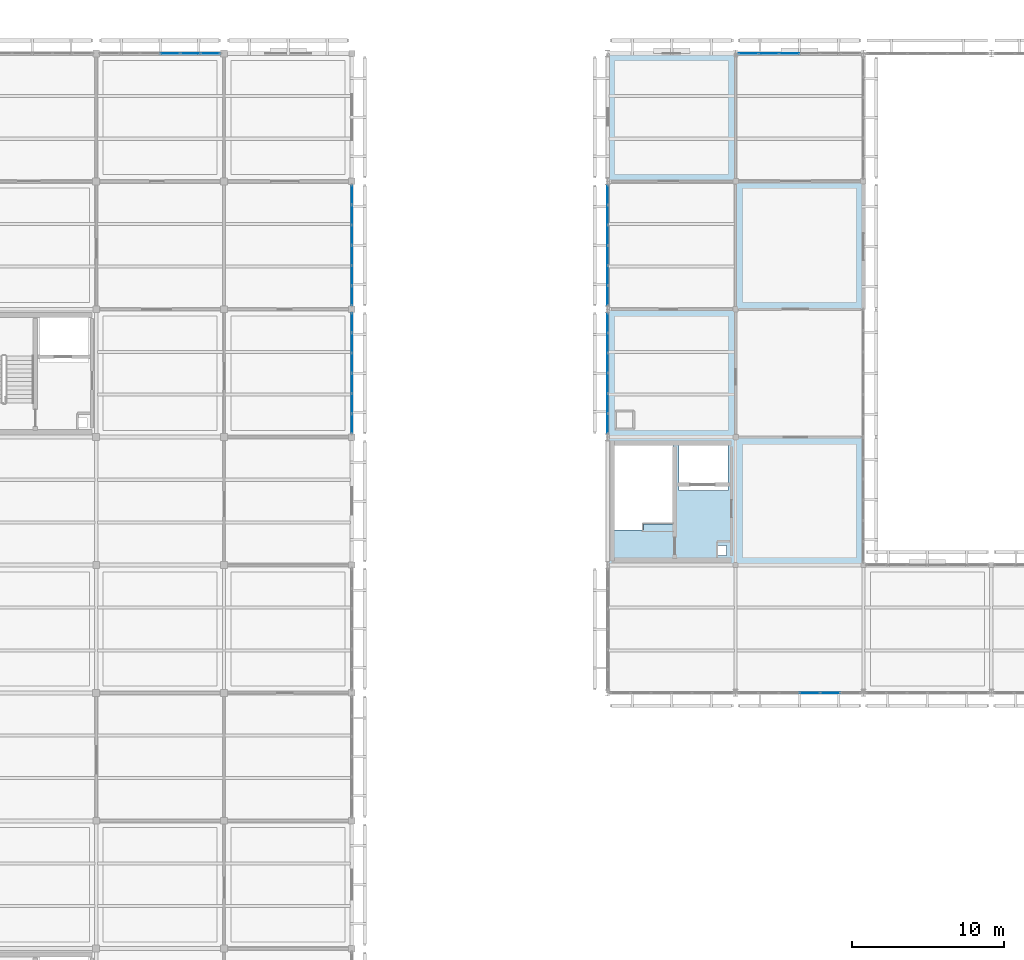
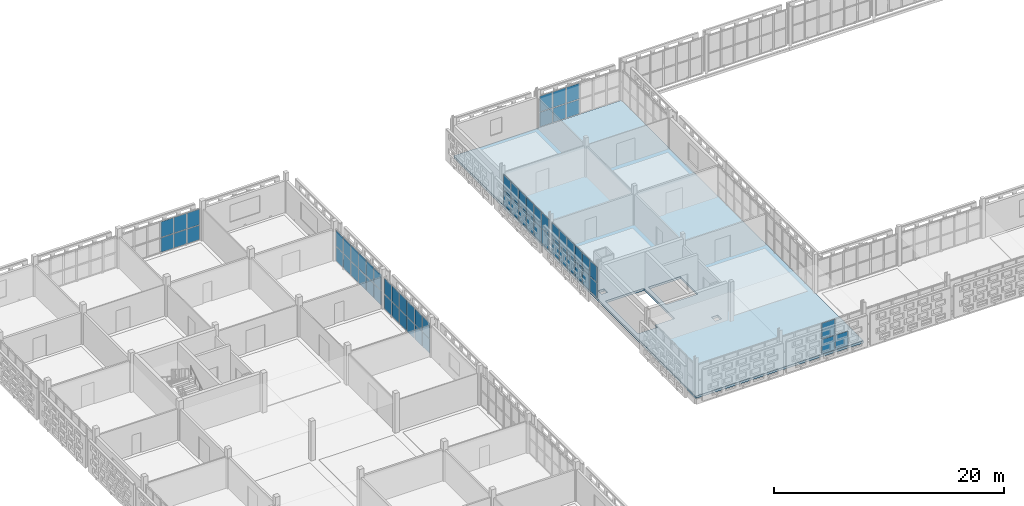
# One storey, part 75 of 140: 63 plates, 1 slab, 7 elements without a shape of their own.
"""IFC4 building model written with IfcOpenShell, lengths in metres."""

from ifc_helpers import new_model, si_unit, direction, frame, origin, origin_2d, place, context, subcontext, project, spatial, polyline, rectangle, outline, extrude, material, layer, layer_set, type_object, element, aggregate, save


model = new_model("IFC4")

# Units and contexts
model_context = context("Model", 3, precision=1e-05, world=origin(), true_north=direction((0.0, 1.0)))
body_context = subcontext(model_context, "Body", "Model", "MODEL_VIEW")
ifc_project = project(units=[si_unit("LENGTHUNIT", "METRE"), si_unit("AREAUNIT", "SQUARE_METRE"), si_unit("VOLUMEUNIT", "CUBIC_METRE"), si_unit("PLANEANGLEUNIT", "RADIAN"), si_unit("MASSUNIT", "GRAM", prefix="KILO")], contexts=[model_context])

# Site, building, storey
site_placement = place(None, origin())
site = spatial("IfcSite", under=ifc_project, at=site_placement, CompositionType="ELEMENT")
building_placement = place(site_placement, origin())
building = spatial("IfcBuilding", under=site, at=building_placement, Name="Varnapada Polytechnic", CompositionType="ELEMENT")
storey_placement = place(building_placement, frame((0.0, 0.0, 13.800048828125)))
storey = spatial("IfcBuildingStorey", under=building, at=storey_placement, Name="L03", CompositionType="ELEMENT", Elevation=13.800048828125)

# Curtain wall, plates
ifc_material_1 = material(Name="Double low-E laminated glass", Category="glass")
ifc_layer_1 = layer(ifc_material_1, 0.159912109375)
ifc_layer_set_1 = layer_set([ifc_layer_1], Name="Double low-E laminated glass")
curtain_wall_type_1 = type_object("IfcCurtainWallType", Name="Curtain Wall CW-02", PredefinedType="NOTDEFINED", material=ifc_layer_set_1)
curtain_wall_1_placement = place(storey_placement, origin())
curtain_wall_1 = element("IfcCurtainWall", 1, at=curtain_wall_1_placement, inside=storey, type_object=curtain_wall_type_1, Name="L03 unitised curtain wall CW-02 (227)", PredefinedType="NOTDEFINED")
ifc_layer_2 = layer(ifc_material_1, 0.028076171875)
ifc_layer_set_2 = layer_set([ifc_layer_2], Name="Double low-E laminated glass")
plate_type_1 = type_object("IfcPlateType", Name="Curtain Panel PNL-01", PredefinedType="CURTAIN_PANEL", material=ifc_layer_set_2)
plate_1_placement = place(storey_placement, frame((50.39990234375, 101.702392578125, 0.06005859375), z_axis=(0.0, 0.0, 1.0), x_axis=(0.0, 1.0, 0.0)))
plate_1 = element("IfcPlate", 2, at=plate_1_placement, type_object=plate_type_1, Name="CW-02 panel 1.1", PredefinedType="CURTAIN_PANEL", context=body_context, shape_type="SweptSolid", body=[
    extrude(rectangle(XDim=1.235107421875, YDim=0.028076171875, at=origin_2d()), origin(), (0.0, 0.0, 1.0), 1.522705078125),
])
plate_2_placement = place(storey_placement, frame((50.39990234375, 101.702392578125, 1.642822265625), z_axis=(0.0, 0.0, 1.0), x_axis=(0.0, 1.0, 0.0)))
plate_2 = element("IfcPlate", 3, at=plate_2_placement, type_object=plate_type_1, Name="CW-02 panel 1.2", PredefinedType="CURTAIN_PANEL", context=body_context, shape_type="SweptSolid", body=[
    extrude(rectangle(XDim=1.235107421875, YDim=0.028076171875, at=origin_2d()), origin(), (0.0, 0.0, 1.0), 1.6572265625),
])
plate_3_placement = place(storey_placement, frame((50.39990234375, 103.012451171875, 0.06005859375), z_axis=(0.0, 0.0, 1.0), x_axis=(0.0, 1.0, 0.0)))
plate_3 = element("IfcPlate", 4, at=plate_3_placement, type_object=plate_type_1, Name="CW-02 panel 2.1", PredefinedType="CURTAIN_PANEL", context=body_context, shape_type="SweptSolid", body=[
    extrude(rectangle(XDim=1.264892578125, YDim=0.028076171875, at=origin_2d()), origin(), (0.0, 0.0, 1.0), 1.522705078125),
])
plate_4_placement = place(storey_placement, frame((50.39990234375, 103.012451171875, 1.642822265625), z_axis=(0.0, 0.0, 1.0), x_axis=(0.0, 1.0, 0.0)))
plate_4 = element("IfcPlate", 5, at=plate_4_placement, type_object=plate_type_1, Name="CW-02 panel 2.2", PredefinedType="CURTAIN_PANEL", context=body_context, shape_type="SweptSolid", body=[
    extrude(rectangle(XDim=1.264892578125, YDim=0.028076171875, at=origin_2d()), origin(), (0.0, 0.0, 1.0), 1.6572265625),
])
plate_5_placement = place(storey_placement, frame((50.39990234375, 104.33740234375, 0.06005859375), z_axis=(0.0, 0.0, 1.0), x_axis=(0.0, 1.0, 0.0)))
plate_5 = element("IfcPlate", 6, at=plate_5_placement, type_object=plate_type_1, Name="CW-02 panel 3.1", PredefinedType="CURTAIN_PANEL", context=body_context, shape_type="SweptSolid", body=[
    extrude(rectangle(XDim=1.264892578125, YDim=0.028076171875, at=origin_2d()), origin(), (0.0, 0.0, 1.0), 1.522705078125),
])
plate_6_placement = place(storey_placement, frame((50.39990234375, 104.33740234375, 1.642822265625), z_axis=(0.0, 0.0, 1.0), x_axis=(0.0, 1.0, 0.0)))
plate_6 = element("IfcPlate", 7, at=plate_6_placement, type_object=plate_type_1, Name="CW-02 panel 3.2", PredefinedType="CURTAIN_PANEL", context=body_context, shape_type="SweptSolid", body=[
    extrude(rectangle(XDim=1.264892578125, YDim=0.028076171875, at=origin_2d()), origin(), (0.0, 0.0, 1.0), 1.6572265625),
])
plate_7_placement = place(storey_placement, frame((50.39990234375, 105.66259765625, 0.06005859375), z_axis=(0.0, 0.0, 1.0), x_axis=(0.0, 1.0, 0.0)))
plate_7 = element("IfcPlate", 8, at=plate_7_placement, type_object=plate_type_1, Name="CW-02 panel 4.1", PredefinedType="CURTAIN_PANEL", context=body_context, shape_type="SweptSolid", body=[
    extrude(rectangle(XDim=1.264892578125, YDim=0.028076171875, at=origin_2d()), origin(), (0.0, 0.0, 1.0), 1.522705078125),
])
plate_8_placement = place(storey_placement, frame((50.39990234375, 105.66259765625, 1.642822265625), z_axis=(0.0, 0.0, 1.0), x_axis=(0.0, 1.0, 0.0)))
plate_8 = element("IfcPlate", 9, at=plate_8_placement, type_object=plate_type_1, Name="CW-02 panel 4.2", PredefinedType="CURTAIN_PANEL", context=body_context, shape_type="SweptSolid", body=[
    extrude(rectangle(XDim=1.264892578125, YDim=0.028076171875, at=origin_2d()), origin(), (0.0, 0.0, 1.0), 1.6572265625),
])
plate_9_placement = place(storey_placement, frame((50.39990234375, 106.987548828125, 0.06005859375), z_axis=(0.0, 0.0, 1.0), x_axis=(0.0, 1.0, 0.0)))
plate_9 = element("IfcPlate", 10, at=plate_9_placement, type_object=plate_type_1, Name="CW-02 panel 5.1", PredefinedType="CURTAIN_PANEL", context=body_context, shape_type="SweptSolid", body=[
    extrude(rectangle(XDim=1.264892578125, YDim=0.028076171875, at=origin_2d()), origin(), (0.0, 0.0, 1.0), 1.522705078125),
])
plate_10_placement = place(storey_placement, frame((50.39990234375, 106.987548828125, 1.642822265625), z_axis=(0.0, 0.0, 1.0), x_axis=(0.0, 1.0, 0.0)))
plate_10 = element("IfcPlate", 11, at=plate_10_placement, type_object=plate_type_1, Name="CW-02 panel 5.2", PredefinedType="CURTAIN_PANEL", context=body_context, shape_type="SweptSolid", body=[
    extrude(rectangle(XDim=1.264892578125, YDim=0.028076171875, at=origin_2d()), origin(), (0.0, 0.0, 1.0), 1.6572265625),
])
plate_11_placement = place(storey_placement, frame((50.39990234375, 108.297607421875, 0.06005859375), z_axis=(0.0, 0.0, 1.0), x_axis=(0.0, 1.0, 0.0)))
plate_11 = element("IfcPlate", 12, at=plate_11_placement, type_object=plate_type_1, Name="CW-02 panel 6.1", PredefinedType="CURTAIN_PANEL", context=body_context, shape_type="SweptSolid", body=[
    extrude(rectangle(XDim=1.235107421875, YDim=0.028076171875, at=origin_2d()), origin(), (0.0, 0.0, 1.0), 1.522705078125),
])
plate_12_placement = place(storey_placement, frame((50.39990234375, 108.297607421875, 1.642822265625), z_axis=(0.0, 0.0, 1.0), x_axis=(0.0, 1.0, 0.0)))
plate_12 = element("IfcPlate", 13, at=plate_12_placement, type_object=plate_type_1, Name="CW-02 panel 6.2", PredefinedType="CURTAIN_PANEL", context=body_context, shape_type="SweptSolid", body=[
    extrude(rectangle(XDim=1.235107421875, YDim=0.028076171875, at=origin_2d()), origin(), (0.0, 0.0, 1.0), 1.6572265625),
])
aggregate(curtain_wall_1, [plate_1, plate_2, plate_3, plate_4, plate_5, plate_6, plate_7, plate_8, plate_9, plate_10, plate_11, plate_12])

curtain_wall_2_placement = place(storey_placement, origin())
curtain_wall_2 = element("IfcCurtainWall", 14, at=curtain_wall_2_placement, inside=storey, type_object=curtain_wall_type_1, Name="L03 unitised curtain wall CW-02 (228)", PredefinedType="NOTDEFINED")
plate_13_placement = place(storey_placement, frame((50.39990234375, 110.1025390625, 0.06005859375), z_axis=(0.0, 0.0, 1.0), x_axis=(0.0, 1.0, 0.0)))
plate_13 = element("IfcPlate", 15, at=plate_13_placement, type_object=plate_type_1, Name="CW-02 panel 1.1", PredefinedType="CURTAIN_PANEL", context=body_context, shape_type="SweptSolid", body=[
    extrude(rectangle(XDim=1.235107421875, YDim=0.028076171875, at=origin_2d()), origin(), (0.0, 0.0, 1.0), 1.522705078125),
])
plate_14_placement = place(storey_placement, frame((50.39990234375, 110.1025390625, 1.642822265625), z_axis=(0.0, 0.0, 1.0), x_axis=(0.0, 1.0, 0.0)))
plate_14 = element("IfcPlate", 16, at=plate_14_placement, type_object=plate_type_1, Name="CW-02 panel 1.2", PredefinedType="CURTAIN_PANEL", context=body_context, shape_type="SweptSolid", body=[
    extrude(rectangle(XDim=1.235107421875, YDim=0.028076171875, at=origin_2d()), origin(), (0.0, 0.0, 1.0), 1.6572265625),
])
plate_15_placement = place(storey_placement, frame((50.39990234375, 111.41259765625, 0.06005859375), z_axis=(0.0, 0.0, 1.0), x_axis=(0.0, 1.0, 0.0)))
plate_15 = element("IfcPlate", 17, at=plate_15_placement, type_object=plate_type_1, Name="CW-02 panel 2.1", PredefinedType="CURTAIN_PANEL", context=body_context, shape_type="SweptSolid", body=[
    extrude(rectangle(XDim=1.264892578125, YDim=0.028076171875, at=origin_2d()), origin(), (0.0, 0.0, 1.0), 1.522705078125),
])
plate_16_placement = place(storey_placement, frame((50.39990234375, 111.41259765625, 1.642822265625), z_axis=(0.0, 0.0, 1.0), x_axis=(0.0, 1.0, 0.0)))
plate_16 = element("IfcPlate", 18, at=plate_16_placement, type_object=plate_type_1, Name="CW-02 panel 2.2", PredefinedType="CURTAIN_PANEL", context=body_context, shape_type="SweptSolid", body=[
    extrude(rectangle(XDim=1.264892578125, YDim=0.028076171875, at=origin_2d()), origin(), (0.0, 0.0, 1.0), 1.6572265625),
])
plate_17_placement = place(storey_placement, frame((50.39990234375, 112.737548828125, 0.06005859375), z_axis=(0.0, 0.0, 1.0), x_axis=(0.0, 1.0, 0.0)))
plate_17 = element("IfcPlate", 19, at=plate_17_placement, type_object=plate_type_1, Name="CW-02 panel 3.1", PredefinedType="CURTAIN_PANEL", context=body_context, shape_type="SweptSolid", body=[
    extrude(rectangle(XDim=1.264892578125, YDim=0.028076171875, at=origin_2d()), origin(), (0.0, 0.0, 1.0), 1.522705078125),
])
plate_18_placement = place(storey_placement, frame((50.39990234375, 112.737548828125, 1.642822265625), z_axis=(0.0, 0.0, 1.0), x_axis=(0.0, 1.0, 0.0)))
plate_18 = element("IfcPlate", 20, at=plate_18_placement, type_object=plate_type_1, Name="CW-02 panel 3.2", PredefinedType="CURTAIN_PANEL", context=body_context, shape_type="SweptSolid", body=[
    extrude(rectangle(XDim=1.264892578125, YDim=0.028076171875, at=origin_2d()), origin(), (0.0, 0.0, 1.0), 1.6572265625),
])
plate_19_placement = place(storey_placement, frame((50.39990234375, 114.0625, 0.06005859375), z_axis=(0.0, 0.0, 1.0), x_axis=(0.0, 1.0, 0.0)))
plate_19 = element("IfcPlate", 21, at=plate_19_placement, type_object=plate_type_1, Name="CW-02 panel 4.1", PredefinedType="CURTAIN_PANEL", context=body_context, shape_type="SweptSolid", body=[
    extrude(rectangle(XDim=1.264892578125, YDim=0.028076171875, at=origin_2d()), origin(), (0.0, 0.0, 1.0), 1.522705078125),
])
plate_20_placement = place(storey_placement, frame((50.39990234375, 114.0625, 1.642822265625), z_axis=(0.0, 0.0, 1.0), x_axis=(0.0, 1.0, 0.0)))
plate_20 = element("IfcPlate", 22, at=plate_20_placement, type_object=plate_type_1, Name="CW-02 panel 4.2", PredefinedType="CURTAIN_PANEL", context=body_context, shape_type="SweptSolid", body=[
    extrude(rectangle(XDim=1.264892578125, YDim=0.028076171875, at=origin_2d()), origin(), (0.0, 0.0, 1.0), 1.6572265625),
])
plate_21_placement = place(storey_placement, frame((50.39990234375, 115.387451171875, 0.06005859375), z_axis=(0.0, 0.0, 1.0), x_axis=(0.0, 1.0, 0.0)))
plate_21 = element("IfcPlate", 23, at=plate_21_placement, type_object=plate_type_1, Name="CW-02 panel 5.1", PredefinedType="CURTAIN_PANEL", context=body_context, shape_type="SweptSolid", body=[
    extrude(rectangle(XDim=1.264892578125, YDim=0.028076171875, at=origin_2d()), origin(), (0.0, 0.0, 1.0), 1.522705078125),
])
plate_22_placement = place(storey_placement, frame((50.39990234375, 115.387451171875, 1.642822265625), z_axis=(0.0, 0.0, 1.0), x_axis=(0.0, 1.0, 0.0)))
plate_22 = element("IfcPlate", 24, at=plate_22_placement, type_object=plate_type_1, Name="CW-02 panel 5.2", PredefinedType="CURTAIN_PANEL", context=body_context, shape_type="SweptSolid", body=[
    extrude(rectangle(XDim=1.264892578125, YDim=0.028076171875, at=origin_2d()), origin(), (0.0, 0.0, 1.0), 1.6572265625),
])
plate_23_placement = place(storey_placement, frame((50.39990234375, 116.697509765625, 0.06005859375), z_axis=(0.0, 0.0, 1.0), x_axis=(0.0, 1.0, 0.0)))
plate_23 = element("IfcPlate", 25, at=plate_23_placement, type_object=plate_type_1, Name="CW-02 panel 6.1", PredefinedType="CURTAIN_PANEL", context=body_context, shape_type="SweptSolid", body=[
    extrude(rectangle(XDim=1.235107421875, YDim=0.028076171875, at=origin_2d()), origin(), (0.0, 0.0, 1.0), 1.522705078125),
])
plate_24_placement = place(storey_placement, frame((50.39990234375, 116.697509765625, 1.642822265625), z_axis=(0.0, 0.0, 1.0), x_axis=(0.0, 1.0, 0.0)))
plate_24 = element("IfcPlate", 26, at=plate_24_placement, type_object=plate_type_1, Name="CW-02 panel 6.2", PredefinedType="CURTAIN_PANEL", context=body_context, shape_type="SweptSolid", body=[
    extrude(rectangle(XDim=1.235107421875, YDim=0.028076171875, at=origin_2d()), origin(), (0.0, 0.0, 1.0), 1.6572265625),
])
aggregate(curtain_wall_2, [plate_13, plate_14, plate_15, plate_16, plate_17, plate_18, plate_19, plate_20, plate_21, plate_22, plate_23, plate_24])

ifc_layer_3 = layer(ifc_material_1, 0.159912109375)
ifc_layer_set_3 = layer_set([ifc_layer_3], Name="Double low-E laminated glass")
curtain_wall_type_2 = type_object("IfcCurtainWallType", Name="Curtain Wall CW-01", PredefinedType="NOTDEFINED", material=ifc_layer_set_3)
curtain_wall_3_placement = place(storey_placement, origin())
curtain_wall_3 = element("IfcCurtainWall", 27, at=curtain_wall_3_placement, inside=storey, type_object=curtain_wall_type_2, Name="L03 unitised curtain wall CW-01 (229)", PredefinedType="NOTDEFINED")
plate_25_placement = place(storey_placement, frame((65.02490234375, 84.0, 0.06005859375), z_axis=(0.0, 0.0, 1.0), x_axis=(-1.0, 0.0, 0.0)))
plate_25 = element("IfcPlate", 28, at=plate_25_placement, type_object=plate_type_1, Name="CW-01 panel 2.1", PredefinedType="CURTAIN_PANEL", context=body_context, shape_type="SweptSolid", body=[
    extrude(rectangle(XDim=1.2900390625, YDim=0.028076171875, at=origin_2d()), origin(), (0.0, 0.0, 1.0), 1.522705078125),
])
plate_26_placement = place(storey_placement, frame((63.675048828125, 84.0, 0.06005859375), z_axis=(0.0, 0.0, 1.0), x_axis=(-1.0, 0.0, 0.0)))
plate_26 = element("IfcPlate", 29, at=plate_26_placement, type_object=plate_type_1, Name="CW-01 panel 3.1", PredefinedType="CURTAIN_PANEL", context=body_context, shape_type="SweptSolid", body=[
    extrude(rectangle(XDim=1.2900390625, YDim=0.028076171875, at=origin_2d()), origin(), (0.0, 0.0, 1.0), 1.522705078125),
])
plate_27_placement = place(storey_placement, frame((63.675048828125, 84.0, 1.642822265625), z_axis=(0.0, 0.0, 1.0), x_axis=(-1.0, 0.0, 0.0)))
plate_27 = element("IfcPlate", 30, at=plate_27_placement, type_object=plate_type_1, Name="CW-01 panel 3.2", PredefinedType="CURTAIN_PANEL", context=body_context, shape_type="SweptSolid", body=[
    extrude(rectangle(XDim=1.2900390625, YDim=0.028076171875, at=origin_2d()), origin(), (0.0, 0.0, 1.0), 1.6572265625),
])
aggregate(curtain_wall_3, [plate_25, plate_26, plate_27])

curtain_wall_4_placement = place(storey_placement, origin())
curtain_wall_4 = element("IfcCurtainWall", 31, at=curtain_wall_4_placement, inside=storey, type_object=curtain_wall_type_1, Name="L03 unitised curtain wall CW-02 (232)", PredefinedType="NOTDEFINED")
plate_28_placement = place(storey_placement, frame((59.639892578125, 126.0, 0.06005859375), z_axis=(0.0, 0.0, 1.0), x_axis=(1.0, 0.0, 0.0)))
plate_28 = element("IfcPlate", 32, at=plate_28_placement, type_object=plate_type_1, Name="CW-02 panel 1.1", PredefinedType="CURTAIN_PANEL", context=body_context, shape_type="SweptSolid", body=[
    extrude(rectangle(XDim=1.260009765625, YDim=0.028076171875, at=origin_2d()), origin(), (0.0, 0.0, 1.0), 1.522705078125),
])
plate_29_placement = place(storey_placement, frame((59.639892578125, 126.0, 1.642822265625), z_axis=(0.0, 0.0, 1.0), x_axis=(1.0, 0.0, 0.0)))
plate_29 = element("IfcPlate", 33, at=plate_29_placement, type_object=plate_type_1, Name="CW-02 panel 1.2", PredefinedType="CURTAIN_PANEL", context=body_context, shape_type="SweptSolid", body=[
    extrude(rectangle(XDim=1.260009765625, YDim=0.028076171875, at=origin_2d()), origin(), (0.0, 0.0, 1.0), 1.6572265625),
])
plate_30_placement = place(storey_placement, frame((60.97509765625, 126.0, 0.06005859375), z_axis=(0.0, 0.0, 1.0), x_axis=(1.0, 0.0, 0.0)))
plate_30 = element("IfcPlate", 34, at=plate_30_placement, type_object=plate_type_1, Name="CW-02 panel 2.1", PredefinedType="CURTAIN_PANEL", context=body_context, shape_type="SweptSolid", body=[
    extrude(rectangle(XDim=1.2900390625, YDim=0.028076171875, at=origin_2d()), origin(), (0.0, 0.0, 1.0), 1.522705078125),
])
plate_31_placement = place(storey_placement, frame((60.97509765625, 126.0, 1.642822265625), z_axis=(0.0, 0.0, 1.0), x_axis=(1.0, 0.0, 0.0)))
plate_31 = element("IfcPlate", 35, at=plate_31_placement, type_object=plate_type_1, Name="CW-02 panel 2.2", PredefinedType="CURTAIN_PANEL", context=body_context, shape_type="SweptSolid", body=[
    extrude(rectangle(XDim=1.2900390625, YDim=0.028076171875, at=origin_2d()), origin(), (0.0, 0.0, 1.0), 1.6572265625),
])
plate_32_placement = place(storey_placement, frame((62.324951171875, 126.0, 0.06005859375), z_axis=(0.0, 0.0, 1.0), x_axis=(1.0, 0.0, 0.0)))
plate_32 = element("IfcPlate", 36, at=plate_32_placement, type_object=plate_type_1, Name="CW-02 panel 3.1", PredefinedType="CURTAIN_PANEL", context=body_context, shape_type="SweptSolid", body=[
    extrude(rectangle(XDim=1.2900390625, YDim=0.028076171875, at=origin_2d()), origin(), (0.0, 0.0, 1.0), 1.522705078125),
])
plate_33_placement = place(storey_placement, frame((62.324951171875, 126.0, 1.642822265625), z_axis=(0.0, 0.0, 1.0), x_axis=(1.0, 0.0, 0.0)))
plate_33 = element("IfcPlate", 37, at=plate_33_placement, type_object=plate_type_1, Name="CW-02 panel 3.2", PredefinedType="CURTAIN_PANEL", context=body_context, shape_type="SweptSolid", body=[
    extrude(rectangle(XDim=1.2900390625, YDim=0.028076171875, at=origin_2d()), origin(), (0.0, 0.0, 1.0), 1.6572265625),
])
aggregate(curtain_wall_4, [plate_28, plate_29, plate_30, plate_31, plate_32, plate_33])

ifc_layer_4 = layer(ifc_material_1, 0.179931640625)
ifc_layer_set_4 = layer_set([ifc_layer_4], Name="Double low-E laminated glass")
curtain_wall_type_3 = type_object("IfcCurtainWallType", Name="Curtain Wall CW-03", PredefinedType="NOTDEFINED", material=ifc_layer_set_4)
curtain_wall_5_placement = place(storey_placement, origin())
curtain_wall_5 = element("IfcCurtainWall", 38, at=curtain_wall_5_placement, inside=storey, type_object=curtain_wall_type_3, Name="L03 unitised curtain wall CW-03 (215)", PredefinedType="NOTDEFINED")
ifc_layer_5 = layer(ifc_material_1, 0.031982421875)
ifc_layer_set_5 = layer_set([ifc_layer_5], Name="Double low-E laminated glass")
plate_type_2 = type_object("IfcPlateType", Name="Curtain Panel PNL-02", PredefinedType="CURTAIN_PANEL", material=ifc_layer_set_5)
plate_34_placement = place(storey_placement, frame((21.663330078125, 126.0, 0.06494140625), z_axis=(0.0, 0.0, 1.0), x_axis=(1.0, 0.0, 0.0)))
plate_34 = element("IfcPlate", 39, at=plate_34_placement, type_object=plate_type_2, Name="CW-03 panel 4.1", PredefinedType="CURTAIN_PANEL", context=body_context, shape_type="SweptSolid", body=[
    extrude(rectangle(XDim=1.26171875, YDim=0.031982421875, at=origin_2d()), origin(), (0.0, 0.0, 1.0), 1.515380859375),
])
plate_35_placement = place(storey_placement, frame((21.663330078125, 126.0, 1.6455078125), z_axis=(0.0, 0.0, 1.0), x_axis=(1.0, 0.0, 0.0)))
plate_35 = element("IfcPlate", 40, at=plate_35_placement, type_object=plate_type_2, Name="CW-03 panel 4.2", PredefinedType="CURTAIN_PANEL", context=body_context, shape_type="SweptSolid", body=[
    extrude(rectangle(XDim=1.26171875, YDim=0.031982421875, at=origin_2d()), origin(), (0.0, 0.0, 1.0), 1.649658203125),
])
plate_36_placement = place(storey_placement, frame((22.989990234375, 126.0, 0.06494140625), z_axis=(0.0, 0.0, 1.0), x_axis=(1.0, 0.0, 0.0)))
plate_36 = element("IfcPlate", 41, at=plate_36_placement, type_object=plate_type_2, Name="CW-03 panel 5.1", PredefinedType="CURTAIN_PANEL", context=body_context, shape_type="SweptSolid", body=[
    extrude(rectangle(XDim=1.26171875, YDim=0.031982421875, at=origin_2d()), origin(), (0.0, 0.0, 1.0), 1.515380859375),
])
plate_37_placement = place(storey_placement, frame((22.989990234375, 126.0, 1.6455078125), z_axis=(0.0, 0.0, 1.0), x_axis=(1.0, 0.0, 0.0)))
plate_37 = element("IfcPlate", 42, at=plate_37_placement, type_object=plate_type_2, Name="CW-03 panel 5.2", PredefinedType="CURTAIN_PANEL", context=body_context, shape_type="SweptSolid", body=[
    extrude(rectangle(XDim=1.26171875, YDim=0.031982421875, at=origin_2d()), origin(), (0.0, 0.0, 1.0), 1.649658203125),
])
plate_38_placement = place(storey_placement, frame((24.300537109375, 126.0, 0.06494140625), z_axis=(0.0, 0.0, 1.0), x_axis=(1.0, 0.0, 0.0)))
plate_38 = element("IfcPlate", 43, at=plate_38_placement, type_object=plate_type_2, Name="CW-03 panel 6.1", PredefinedType="CURTAIN_PANEL", context=body_context, shape_type="SweptSolid", body=[
    extrude(rectangle(XDim=1.229248046875, YDim=0.031982421875, at=origin_2d()), origin(), (0.0, 0.0, 1.0), 1.515380859375),
])
plate_39_placement = place(storey_placement, frame((24.300537109375, 126.0, 1.6455078125), z_axis=(0.0, 0.0, 1.0), x_axis=(1.0, 0.0, 0.0)))
plate_39 = element("IfcPlate", 44, at=plate_39_placement, type_object=plate_type_2, Name="CW-03 panel 6.2", PredefinedType="CURTAIN_PANEL", context=body_context, shape_type="SweptSolid", body=[
    extrude(rectangle(XDim=1.229248046875, YDim=0.031982421875, at=origin_2d()), origin(), (0.0, 0.0, 1.0), 1.649658203125),
])
aggregate(curtain_wall_5, [plate_34, plate_35, plate_36, plate_37, plate_38, plate_39])

curtain_wall_6_placement = place(storey_placement, origin())
curtain_wall_6 = element("IfcCurtainWall", 45, at=curtain_wall_6_placement, inside=storey, type_object=curtain_wall_type_3, Name="L03 unitised curtain wall CW-03 (221)", PredefinedType="NOTDEFINED")
plate_40_placement = place(storey_placement, frame((33.60009765625, 108.308837890625, 0.06494140625), z_axis=(0.0, 0.0, 1.0), x_axis=(0.0, -1.0, 0.0)))
plate_40 = element("IfcPlate", 46, at=plate_40_placement, type_object=plate_type_2, Name="CW-03 panel 1.1", PredefinedType="CURTAIN_PANEL", context=body_context, shape_type="SweptSolid", body=[
    extrude(rectangle(XDim=1.232421875, YDim=0.031982421875, at=origin_2d()), origin(), (0.0, 0.0, 1.0), 1.515380859375),
])
plate_41_placement = place(storey_placement, frame((33.60009765625, 108.308837890625, 1.6455078125), z_axis=(0.0, 0.0, 1.0), x_axis=(0.0, -1.0, 0.0)))
plate_41 = element("IfcPlate", 47, at=plate_41_placement, type_object=plate_type_2, Name="CW-03 panel 1.2", PredefinedType="CURTAIN_PANEL", context=body_context, shape_type="SweptSolid", body=[
    extrude(rectangle(XDim=1.232421875, YDim=0.031982421875, at=origin_2d()), origin(), (0.0, 0.0, 1.0), 1.649658203125),
])
plate_42_placement = place(storey_placement, frame((33.60009765625, 106.9951171875, 0.06494140625), z_axis=(0.0, 0.0, 1.0), x_axis=(0.0, -1.0, 0.0)))
plate_42 = element("IfcPlate", 48, at=plate_42_placement, type_object=plate_type_2, Name="CW-03 panel 2.1", PredefinedType="CURTAIN_PANEL", context=body_context, shape_type="SweptSolid", body=[
    extrude(rectangle(XDim=1.264892578125, YDim=0.031982421875, at=origin_2d()), origin(), (0.0, 0.0, 1.0), 1.515380859375),
])
plate_43_placement = place(storey_placement, frame((33.60009765625, 106.9951171875, 1.6455078125), z_axis=(0.0, 0.0, 1.0), x_axis=(0.0, -1.0, 0.0)))
plate_43 = element("IfcPlate", 49, at=plate_43_placement, type_object=plate_type_2, Name="CW-03 panel 2.2", PredefinedType="CURTAIN_PANEL", context=body_context, shape_type="SweptSolid", body=[
    extrude(rectangle(XDim=1.264892578125, YDim=0.031982421875, at=origin_2d()), origin(), (0.0, 0.0, 1.0), 1.649658203125),
])
plate_44_placement = place(storey_placement, frame((33.60009765625, 105.6650390625, 0.06494140625), z_axis=(0.0, 0.0, 1.0), x_axis=(0.0, -1.0, 0.0)))
plate_44 = element("IfcPlate", 50, at=plate_44_placement, type_object=plate_type_2, Name="CW-03 panel 3.1", PredefinedType="CURTAIN_PANEL", context=body_context, shape_type="SweptSolid", body=[
    extrude(rectangle(XDim=1.264892578125, YDim=0.031982421875, at=origin_2d()), origin(), (0.0, 0.0, 1.0), 1.515380859375),
])
plate_45_placement = place(storey_placement, frame((33.60009765625, 105.6650390625, 1.6455078125), z_axis=(0.0, 0.0, 1.0), x_axis=(0.0, -1.0, 0.0)))
plate_45 = element("IfcPlate", 51, at=plate_45_placement, type_object=plate_type_2, Name="CW-03 panel 3.2", PredefinedType="CURTAIN_PANEL", context=body_context, shape_type="SweptSolid", body=[
    extrude(rectangle(XDim=1.264892578125, YDim=0.031982421875, at=origin_2d()), origin(), (0.0, 0.0, 1.0), 1.649658203125),
])
plate_46_placement = place(storey_placement, frame((33.60009765625, 104.3349609375, 0.06494140625), z_axis=(0.0, 0.0, 1.0), x_axis=(0.0, -1.0, 0.0)))
plate_46 = element("IfcPlate", 52, at=plate_46_placement, type_object=plate_type_2, Name="CW-03 panel 4.1", PredefinedType="CURTAIN_PANEL", context=body_context, shape_type="SweptSolid", body=[
    extrude(rectangle(XDim=1.264892578125, YDim=0.031982421875, at=origin_2d()), origin(), (0.0, 0.0, 1.0), 1.515380859375),
])
plate_47_placement = place(storey_placement, frame((33.60009765625, 104.3349609375, 1.6455078125), z_axis=(0.0, 0.0, 1.0), x_axis=(0.0, -1.0, 0.0)))
plate_47 = element("IfcPlate", 53, at=plate_47_placement, type_object=plate_type_2, Name="CW-03 panel 4.2", PredefinedType="CURTAIN_PANEL", context=body_context, shape_type="SweptSolid", body=[
    extrude(rectangle(XDim=1.264892578125, YDim=0.031982421875, at=origin_2d()), origin(), (0.0, 0.0, 1.0), 1.649658203125),
])
plate_48_placement = place(storey_placement, frame((33.60009765625, 103.0048828125, 0.06494140625), z_axis=(0.0, 0.0, 1.0), x_axis=(0.0, -1.0, 0.0)))
plate_48 = element("IfcPlate", 54, at=plate_48_placement, type_object=plate_type_2, Name="CW-03 panel 5.1", PredefinedType="CURTAIN_PANEL", context=body_context, shape_type="SweptSolid", body=[
    extrude(rectangle(XDim=1.264892578125, YDim=0.031982421875, at=origin_2d()), origin(), (0.0, 0.0, 1.0), 1.515380859375),
])
plate_49_placement = place(storey_placement, frame((33.60009765625, 103.0048828125, 1.6455078125), z_axis=(0.0, 0.0, 1.0), x_axis=(0.0, -1.0, 0.0)))
plate_49 = element("IfcPlate", 55, at=plate_49_placement, type_object=plate_type_2, Name="CW-03 panel 5.2", PredefinedType="CURTAIN_PANEL", context=body_context, shape_type="SweptSolid", body=[
    extrude(rectangle(XDim=1.264892578125, YDim=0.031982421875, at=origin_2d()), origin(), (0.0, 0.0, 1.0), 1.649658203125),
])
plate_50_placement = place(storey_placement, frame((33.60009765625, 101.691162109375, 0.06494140625), z_axis=(0.0, 0.0, 1.0), x_axis=(0.0, -1.0, 0.0)))
plate_50 = element("IfcPlate", 56, at=plate_50_placement, type_object=plate_type_2, Name="CW-03 panel 6.1", PredefinedType="CURTAIN_PANEL", context=body_context, shape_type="SweptSolid", body=[
    extrude(rectangle(XDim=1.232421875, YDim=0.031982421875, at=origin_2d()), origin(), (0.0, 0.0, 1.0), 1.515380859375),
])
plate_51_placement = place(storey_placement, frame((33.60009765625, 101.691162109375, 1.6455078125), z_axis=(0.0, 0.0, 1.0), x_axis=(0.0, -1.0, 0.0)))
plate_51 = element("IfcPlate", 57, at=plate_51_placement, type_object=plate_type_2, Name="CW-03 panel 6.2", PredefinedType="CURTAIN_PANEL", context=body_context, shape_type="SweptSolid", body=[
    extrude(rectangle(XDim=1.232421875, YDim=0.031982421875, at=origin_2d()), origin(), (0.0, 0.0, 1.0), 1.649658203125),
])
aggregate(curtain_wall_6, [plate_40, plate_41, plate_42, plate_43, plate_44, plate_45, plate_46, plate_47, plate_48, plate_49, plate_50, plate_51])

curtain_wall_7_placement = place(storey_placement, origin())
curtain_wall_7 = element("IfcCurtainWall", 58, at=curtain_wall_7_placement, inside=storey, type_object=curtain_wall_type_3, Name="L03 unitised curtain wall CW-03 (222)", PredefinedType="NOTDEFINED")
plate_52_placement = place(storey_placement, frame((33.60009765625, 116.708740234375, 0.06494140625), z_axis=(0.0, 0.0, 1.0), x_axis=(0.0, -1.0, 0.0)))
plate_52 = element("IfcPlate", 59, at=plate_52_placement, type_object=plate_type_2, Name="CW-03 panel 1.1", PredefinedType="CURTAIN_PANEL", context=body_context, shape_type="SweptSolid", body=[
    extrude(rectangle(XDim=1.232421875, YDim=0.031982421875, at=origin_2d()), origin(), (0.0, 0.0, 1.0), 1.515380859375),
])
plate_53_placement = place(storey_placement, frame((33.60009765625, 116.708740234375, 1.6455078125), z_axis=(0.0, 0.0, 1.0), x_axis=(0.0, -1.0, 0.0)))
plate_53 = element("IfcPlate", 60, at=plate_53_placement, type_object=plate_type_2, Name="CW-03 panel 1.2", PredefinedType="CURTAIN_PANEL", context=body_context, shape_type="SweptSolid", body=[
    extrude(rectangle(XDim=1.232421875, YDim=0.031982421875, at=origin_2d()), origin(), (0.0, 0.0, 1.0), 1.649658203125),
])
plate_54_placement = place(storey_placement, frame((33.60009765625, 115.39501953125, 0.06494140625), z_axis=(0.0, 0.0, 1.0), x_axis=(0.0, -1.0, 0.0)))
plate_54 = element("IfcPlate", 61, at=plate_54_placement, type_object=plate_type_2, Name="CW-03 panel 2.1", PredefinedType="CURTAIN_PANEL", context=body_context, shape_type="SweptSolid", body=[
    extrude(rectangle(XDim=1.264892578125, YDim=0.031982421875, at=origin_2d()), origin(), (0.0, 0.0, 1.0), 1.515380859375),
])
plate_55_placement = place(storey_placement, frame((33.60009765625, 115.39501953125, 1.6455078125), z_axis=(0.0, 0.0, 1.0), x_axis=(0.0, -1.0, 0.0)))
plate_55 = element("IfcPlate", 62, at=plate_55_placement, type_object=plate_type_2, Name="CW-03 panel 2.2", PredefinedType="CURTAIN_PANEL", context=body_context, shape_type="SweptSolid", body=[
    extrude(rectangle(XDim=1.264892578125, YDim=0.031982421875, at=origin_2d()), origin(), (0.0, 0.0, 1.0), 1.649658203125),
])
plate_56_placement = place(storey_placement, frame((33.60009765625, 114.06494140625, 0.06494140625), z_axis=(0.0, 0.0, 1.0), x_axis=(0.0, -1.0, 0.0)))
plate_56 = element("IfcPlate", 63, at=plate_56_placement, type_object=plate_type_2, Name="CW-03 panel 3.1", PredefinedType="CURTAIN_PANEL", context=body_context, shape_type="SweptSolid", body=[
    extrude(rectangle(XDim=1.264892578125, YDim=0.031982421875, at=origin_2d()), origin(), (0.0, 0.0, 1.0), 1.515380859375),
])
plate_57_placement = place(storey_placement, frame((33.60009765625, 114.06494140625, 1.6455078125), z_axis=(0.0, 0.0, 1.0), x_axis=(0.0, -1.0, 0.0)))
plate_57 = element("IfcPlate", 64, at=plate_57_placement, type_object=plate_type_2, Name="CW-03 panel 3.2", PredefinedType="CURTAIN_PANEL", context=body_context, shape_type="SweptSolid", body=[
    extrude(rectangle(XDim=1.264892578125, YDim=0.031982421875, at=origin_2d()), origin(), (0.0, 0.0, 1.0), 1.649658203125),
])
plate_58_placement = place(storey_placement, frame((33.60009765625, 112.735107421875, 0.06494140625), z_axis=(0.0, 0.0, 1.0), x_axis=(0.0, -1.0, 0.0)))
plate_58 = element("IfcPlate", 65, at=plate_58_placement, type_object=plate_type_2, Name="CW-03 panel 4.1", PredefinedType="CURTAIN_PANEL", context=body_context, shape_type="SweptSolid", body=[
    extrude(rectangle(XDim=1.264892578125, YDim=0.031982421875, at=origin_2d()), origin(), (0.0, 0.0, 1.0), 1.515380859375),
])
plate_59_placement = place(storey_placement, frame((33.60009765625, 112.735107421875, 1.6455078125), z_axis=(0.0, 0.0, 1.0), x_axis=(0.0, -1.0, 0.0)))
plate_59 = element("IfcPlate", 66, at=plate_59_placement, type_object=plate_type_2, Name="CW-03 panel 4.2", PredefinedType="CURTAIN_PANEL", context=body_context, shape_type="SweptSolid", body=[
    extrude(rectangle(XDim=1.264892578125, YDim=0.031982421875, at=origin_2d()), origin(), (0.0, 0.0, 1.0), 1.649658203125),
])
plate_60_placement = place(storey_placement, frame((33.60009765625, 111.405029296875, 0.06494140625), z_axis=(0.0, 0.0, 1.0), x_axis=(0.0, -1.0, 0.0)))
plate_60 = element("IfcPlate", 67, at=plate_60_placement, type_object=plate_type_2, Name="CW-03 panel 5.1", PredefinedType="CURTAIN_PANEL", context=body_context, shape_type="SweptSolid", body=[
    extrude(rectangle(XDim=1.264892578125, YDim=0.031982421875, at=origin_2d()), origin(), (0.0, 0.0, 1.0), 1.515380859375),
])
plate_61_placement = place(storey_placement, frame((33.60009765625, 111.405029296875, 1.6455078125), z_axis=(0.0, 0.0, 1.0), x_axis=(0.0, -1.0, 0.0)))
plate_61 = element("IfcPlate", 68, at=plate_61_placement, type_object=plate_type_2, Name="CW-03 panel 5.2", PredefinedType="CURTAIN_PANEL", context=body_context, shape_type="SweptSolid", body=[
    extrude(rectangle(XDim=1.264892578125, YDim=0.031982421875, at=origin_2d()), origin(), (0.0, 0.0, 1.0), 1.649658203125),
])
plate_62_placement = place(storey_placement, frame((33.60009765625, 110.09130859375, 0.06494140625), z_axis=(0.0, 0.0, 1.0), x_axis=(0.0, -1.0, 0.0)))
plate_62 = element("IfcPlate", 69, at=plate_62_placement, type_object=plate_type_2, Name="CW-03 panel 6.1", PredefinedType="CURTAIN_PANEL", context=body_context, shape_type="SweptSolid", body=[
    extrude(rectangle(XDim=1.232421875, YDim=0.031982421875, at=origin_2d()), origin(), (0.0, 0.0, 1.0), 1.515380859375),
])
plate_63_placement = place(storey_placement, frame((33.60009765625, 110.09130859375, 1.6455078125), z_axis=(0.0, 0.0, 1.0), x_axis=(0.0, -1.0, 0.0)))
plate_63 = element("IfcPlate", 70, at=plate_63_placement, type_object=plate_type_2, Name="CW-03 panel 6.2", PredefinedType="CURTAIN_PANEL", context=body_context, shape_type="SweptSolid", body=[
    extrude(rectangle(XDim=1.232421875, YDim=0.031982421875, at=origin_2d()), origin(), (0.0, 0.0, 1.0), 1.649658203125),
])
aggregate(curtain_wall_7, [plate_52, plate_53, plate_54, plate_55, plate_56, plate_57, plate_58, plate_59, plate_60, plate_61, plate_62, plate_63])

# Slab
ifc_material_2 = material(Name="Cross-laminated timber CLT C24", Category="wood")
ifc_layer_6 = layer(ifc_material_2, 0.239990234375)
ifc_layer_set_6 = layer_set([ifc_layer_6], Name="Cross-laminated timber CLT C24")
slab_type = type_object("IfcSlabType", Name="L02/L03 laboratory CLT composite slab SL-06", PredefinedType="FLOOR", material=ifc_layer_set_6)
slab_placement = place(storey_placement, frame((0.0, 0.0, -0.239990234375)))
element("IfcSlab", 71, at=slab_placement, inside=storey, type_object=slab_type, Name="L03 V1 slab 1.1", PredefinedType="FLOOR", context=body_context, shape_type="SweptSolid", body=[
    extrude(outline(polyline([(50.39990234375, 100.800048828125), (50.39990234375, 109.199951171875), (50.39990234375, 117.60009765625), (50.39990234375, 126.0), (58.800048828125, 126.0), (67.199951171875, 126.0), (67.199951171875, 117.60009765625), (67.199951171875, 109.199951171875), (67.199951171875, 100.800048828125), (67.199951171875, 92.39990234375), (67.199951171875, 84.0), (58.800048828125, 84.0), (50.39990234375, 84.0), (50.39990234375, 92.39990234375), (50.39990234375, 100.800048828125)]), holes=[polyline([(50.800048828125, 94.7099609375), (52.75, 94.7099609375), (52.75, 95.110107421875), (54.699951171875, 95.110107421875), (54.699951171875, 100.39990234375), (50.800048828125, 100.39990234375), (50.800048828125, 94.7099609375)]), polyline([(55.10009765625, 97.300048828125), (58.300048828125, 97.300048828125), (58.300048828125, 100.35009765625), (55.10009765625, 100.35009765625), (55.10009765625, 97.300048828125)]), polyline([(57.550048828125, 93.02001953125), (58.199951171875, 93.02001953125), (58.199951171875, 93.669921875), (57.550048828125, 93.669921875), (57.550048828125, 93.02001953125)]), polyline([(51.050048828125, 101.449951171875), (51.64990234375, 101.449951171875), (51.64990234375, 102.050048828125), (51.050048828125, 102.050048828125), (51.050048828125, 101.449951171875)])]), origin(), (0.0, 0.0, 1.0), 0.239990234375),
])

save(model, "model.ifc")
